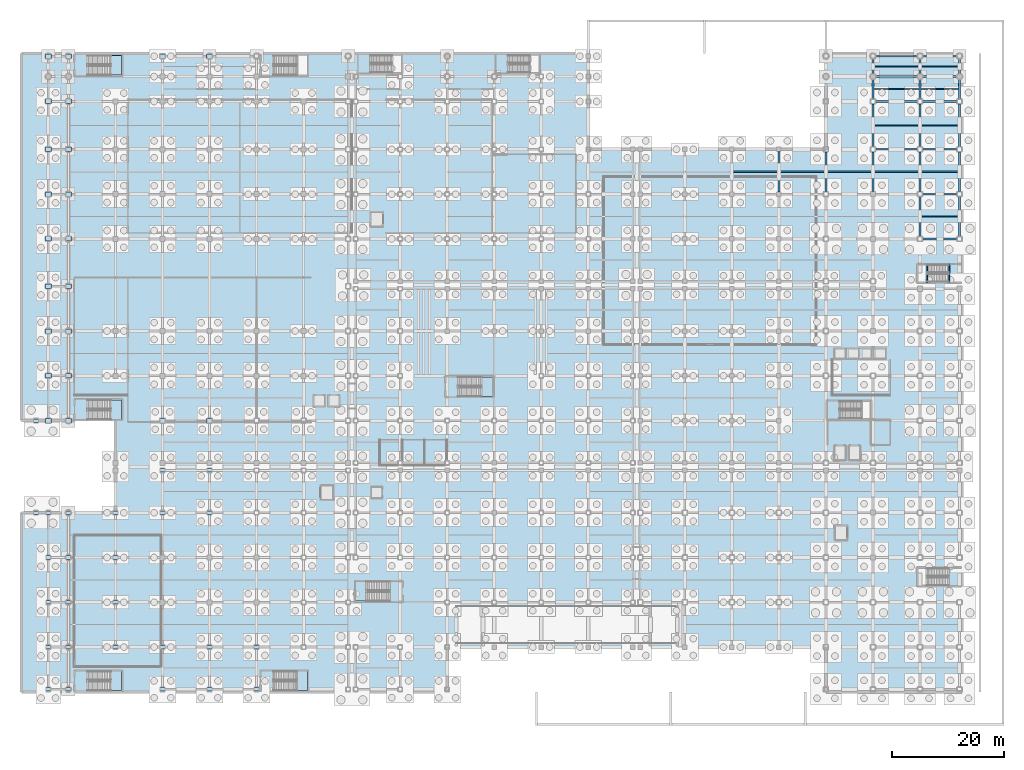
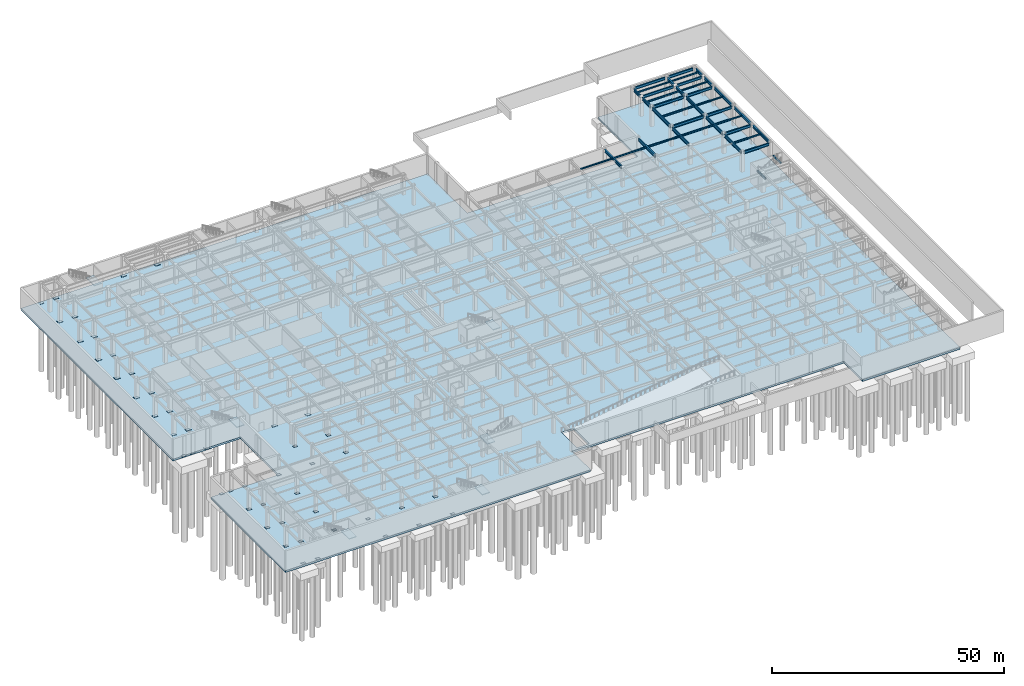
# One storey, part 30 of 55: 48 plates, 40 beams, 7 slabs, 6 elements without a shape of their own.
"""IFC4 building model written with IfcOpenShell, lengths in metres."""

from ifc_helpers import new_model, si_unit, direction, frame, origin, origin_2d, place, context, subcontext, project, spatial, polyline, rectangle, i_section, outline, extrude, material, layer, layer_set, material_profile, profile_set, type_object, element, aggregate, save


model = new_model("IFC4")

# Units and contexts
model_context = context("Model", 3, precision=1e-05, world=origin(), true_north=direction((0.0, 1.0)))
body_context = subcontext(model_context, "Body", "Model", "MODEL_VIEW")
ifc_project = project(units=[si_unit("LENGTHUNIT", "METRE"), si_unit("AREAUNIT", "SQUARE_METRE"), si_unit("VOLUMEUNIT", "CUBIC_METRE"), si_unit("PLANEANGLEUNIT", "RADIAN"), si_unit("MASSUNIT", "GRAM", prefix="KILO")], contexts=[model_context])

# Site, building, storey
site_placement = place(None, origin())
site = spatial("IfcSite", under=ifc_project, at=site_placement, CompositionType="ELEMENT")
building_placement = place(site_placement, origin())
building = spatial("IfcBuilding", under=site, at=building_placement, Name="Kazehara Bluff Congress Hotel", CompositionType="ELEMENT")
storey_placement = place(building_placement, frame((0.0, 0.0, -5.39990234375)))
storey = spatial("IfcBuildingStorey", under=building, at=storey_placement, Name="B1", CompositionType="ELEMENT", Elevation=-5.39990234375)

# Beams
ifc_material_1 = material(Name="Steel SN490B", Category="steel")
ifc_material_profile_1 = material_profile(ifc_material_1, i_section(OverallWidth=0.300048828125, OverallDepth=0.699951171875, WebThickness=0.012939453125, FlangeThickness=0.02392578125, FilletRadius=0.01806640625, at=origin_2d()))
ifc_profile_set_1 = profile_set([ifc_material_profile_1], Name="Steel SN490B")
beam_type_1 = type_object("IfcBeamType", Name="TP-G-04", PredefinedType="BEAM", material=ifc_profile_set_1)
for number, where, z_axis, x_axis, name in (
    (1, (160.949951171875, 80.89990234375, 4.77001953125), (1.0, 0.0, 0.0), (0.0, 1.0, 0.0), "B1 girder G-04 477"),
    (2, (160.949951171875, 88.89990234375, 4.77001953125), (1.0, 0.0, 0.0), (0.0, 1.0, 0.0), "B1 girder G-04 497"),
):
    element("IfcBeam", number, at=place(storey_placement, frame(where, z_axis=z_axis, x_axis=x_axis)), inside=storey, type_object=beam_type_1, Name=name, PredefinedType="BEAM", context=body_context, shape_type="SweptSolid", body=[
        extrude(i_section(OverallWidth=0.300048828125, OverallDepth=0.699951171875, WebThickness=0.012939453125, FlangeThickness=0.02392578125, FilletRadius=0.01806640625, at=origin_2d()), origin(), (0.0, 0.0, 1.0), 6.150146484375),
    ])
beam_1_placement = place(storey_placement, frame((152.550048828125, 96.89990234375, 4.77001953125), z_axis=(1.0, 0.0, 0.0), x_axis=(0.0, 1.0, 0.0)))
element("IfcBeam", 3, at=beam_1_placement, inside=storey, type_object=beam_type_1, Name="B1 girder G-04 509", PredefinedType="BEAM", context=body_context, shape_type="SweptSolid", body=[
    extrude(i_section(OverallWidth=0.300048828125, OverallDepth=0.699951171875, WebThickness=0.012939453125, FlangeThickness=0.02392578125, FilletRadius=0.01806640625, at=origin_2d()), origin(), (0.0, 0.0, 1.0), 7.5),
])
beam_2_placement = place(storey_placement, frame((160.949951171875, 96.89990234375, 4.77001953125), z_axis=(1.0, 0.0, 0.0), x_axis=(0.0, 1.0, 0.0)))
element("IfcBeam", 4, at=beam_2_placement, inside=storey, type_object=beam_type_1, Name="B1 girder G-04 510", PredefinedType="BEAM", context=body_context, shape_type="SweptSolid", body=[
    extrude(i_section(OverallWidth=0.300048828125, OverallDepth=0.699951171875, WebThickness=0.012939453125, FlangeThickness=0.02392578125, FilletRadius=0.01806640625, at=origin_2d()), origin(), (0.0, 0.0, 1.0), 6.150146484375),
])
beam_3_placement = place(storey_placement, frame((152.550048828125, 105.449951171875, 4.77001953125), z_axis=(1.0, 0.0, 0.0), x_axis=(0.0, 1.0, 0.0)))
element("IfcBeam", 5, at=beam_3_placement, inside=storey, type_object=beam_type_1, Name="B1 girder G-04 522", PredefinedType="BEAM", context=body_context, shape_type="SweptSolid", body=[
    extrude(i_section(OverallWidth=0.300048828125, OverallDepth=0.699951171875, WebThickness=0.012939453125, FlangeThickness=0.02392578125, FilletRadius=0.01806640625, at=origin_2d()), origin(), (0.0, 0.0, 1.0), 7.5),
])
beam_4_placement = place(storey_placement, frame((160.949951171875, 105.449951171875, 4.77001953125), z_axis=(1.0, 0.0, 0.0), x_axis=(0.0, 1.0, 0.0)))
element("IfcBeam", 6, at=beam_4_placement, inside=storey, type_object=beam_type_1, Name="B1 girder G-04 523", PredefinedType="BEAM", context=body_context, shape_type="SweptSolid", body=[
    extrude(i_section(OverallWidth=0.300048828125, OverallDepth=0.699951171875, WebThickness=0.012939453125, FlangeThickness=0.02392578125, FilletRadius=0.01806640625, at=origin_2d()), origin(), (0.0, 0.0, 1.0), 6.150146484375),
])
beam_5_placement = place(storey_placement, frame((152.550048828125, 109.89990234375, 4.77001953125), z_axis=(1.0, 0.0, 0.0), x_axis=(0.0, 1.0, 0.0)))
element("IfcBeam", 7, at=beam_5_placement, inside=storey, type_object=beam_type_1, Name="B1 girder G-04 533", PredefinedType="BEAM", context=body_context, shape_type="SweptSolid", body=[
    extrude(i_section(OverallWidth=0.300048828125, OverallDepth=0.699951171875, WebThickness=0.012939453125, FlangeThickness=0.02392578125, FilletRadius=0.01806640625, at=origin_2d()), origin(), (0.0, 0.0, 1.0), 7.5),
])
beam_6_placement = place(storey_placement, frame((160.949951171875, 109.89990234375, 4.77001953125), z_axis=(1.0, 0.0, 0.0), x_axis=(0.0, 1.0, 0.0)))
element("IfcBeam", 8, at=beam_6_placement, inside=storey, type_object=beam_type_1, Name="B1 girder G-04 534", PredefinedType="BEAM", context=body_context, shape_type="SweptSolid", body=[
    extrude(i_section(OverallWidth=0.300048828125, OverallDepth=0.699951171875, WebThickness=0.012939453125, FlangeThickness=0.02392578125, FilletRadius=0.01806640625, at=origin_2d()), origin(), (0.0, 0.0, 1.0), 6.150146484375),
])
beam_7_placement = place(storey_placement, frame((152.550048828125, 113.550048828125, 4.77001953125), z_axis=(1.0, 0.0, 0.0), x_axis=(0.0, 1.0, 0.0)))
element("IfcBeam", 9, at=beam_7_placement, inside=storey, type_object=beam_type_1, Name="B1 girder G-04 538", PredefinedType="BEAM", context=body_context, shape_type="SweptSolid", body=[
    extrude(i_section(OverallWidth=0.300048828125, OverallDepth=0.699951171875, WebThickness=0.012939453125, FlangeThickness=0.02392578125, FilletRadius=0.01806640625, at=origin_2d()), origin(), (0.0, 0.0, 1.0), 7.5),
])
beam_8_placement = place(storey_placement, frame((160.949951171875, 113.550048828125, 4.77001953125), z_axis=(1.0, 0.0, 0.0), x_axis=(0.0, 1.0, 0.0)))
element("IfcBeam", 10, at=beam_8_placement, inside=storey, type_object=beam_type_1, Name="B1 girder G-04 539", PredefinedType="BEAM", context=body_context, shape_type="SweptSolid", body=[
    extrude(i_section(OverallWidth=0.300048828125, OverallDepth=0.699951171875, WebThickness=0.012939453125, FlangeThickness=0.02392578125, FilletRadius=0.01806640625, at=origin_2d()), origin(), (0.0, 0.0, 1.0), 6.150146484375),
])
ifc_material_2 = material(Name="Steel SN490B", Category="steel")
ifc_material_profile_2 = material_profile(ifc_material_2, i_section(OverallWidth=0.300048828125, OverallDepth=0.75, WebThickness=0.012939453125, FlangeThickness=0.02392578125, FilletRadius=0.01806640625, at=origin_2d()))
ifc_profile_set_2 = profile_set([ifc_material_profile_2], Name="Steel SN490B")
beam_type_2 = type_object("IfcBeamType", Name="TP-G-05", PredefinedType="BEAM", material=ifc_profile_set_2)
beam_9_placement = place(storey_placement, frame((135.300048828125, 89.300048828125, 4.744873046875), z_axis=(0.0, 1.0, 0.0), x_axis=(-1.0, 0.0, 0.0)))
element("IfcBeam", 11, at=beam_9_placement, inside=storey, type_object=beam_type_2, Name="B1 girder G-05 224", PredefinedType="BEAM", context=body_context, shape_type="SweptSolid", body=[
    extrude(i_section(OverallWidth=0.300048828125, OverallDepth=0.75, WebThickness=0.012939453125, FlangeThickness=0.02392578125, FilletRadius=0.01806640625, at=origin_2d()), origin(), (0.0, 0.0, 1.0), 7.199951171875),
])
for number, where, z_axis, x_axis, name in (
    (12, (143.699951171875, 89.35009765625, 4.744873046875), (0.0, 1.0, 0.0), (-1.0, 0.0, 0.0), "B1 girder G-05 234"),
    (13, (152.10009765625, 89.35009765625, 4.744873046875), (0.0, 1.0, 0.0), (-1.0, 0.0, 0.0), "B1 girder G-05 244"),
):
    element("IfcBeam", number, at=place(storey_placement, frame(where, z_axis=z_axis, x_axis=x_axis)), inside=storey, type_object=beam_type_2, Name=name, PredefinedType="BEAM", context=body_context, shape_type="SweptSolid", body=[
        extrude(i_section(OverallWidth=0.300048828125, OverallDepth=0.75, WebThickness=0.012939453125, FlangeThickness=0.02392578125, FilletRadius=0.01806640625, at=origin_2d()), origin(), (0.0, 0.0, 1.0), 7.099853515625),
    ])
beam_10_placement = place(storey_placement, frame((152.10009765625, 97.35009765625, 4.744873046875), z_axis=(0.0, 1.0, 0.0), x_axis=(-1.0, 0.0, 0.0)))
element("IfcBeam", 14, at=beam_10_placement, inside=storey, type_object=beam_type_2, Name="B1 girder G-05 245", PredefinedType="BEAM", context=body_context, shape_type="SweptSolid", body=[
    extrude(i_section(OverallWidth=0.300048828125, OverallDepth=0.75, WebThickness=0.012939453125, FlangeThickness=0.02392578125, FilletRadius=0.01806640625, at=origin_2d()), origin(), (0.0, 0.0, 1.0), 7.64990234375),
])
beam_11_placement = place(storey_placement, frame((152.10009765625, 105.89990234375, 4.744873046875), z_axis=(0.0, 1.0, 0.0), x_axis=(-1.0, 0.0, 0.0)))
element("IfcBeam", 15, at=beam_11_placement, inside=storey, type_object=beam_type_2, Name="B1 girder G-05 246", PredefinedType="BEAM", context=body_context, shape_type="SweptSolid", body=[
    extrude(i_section(OverallWidth=0.300048828125, OverallDepth=0.75, WebThickness=0.012939453125, FlangeThickness=0.02392578125, FilletRadius=0.01806640625, at=origin_2d()), origin(), (0.0, 0.0, 1.0), 3.550048828125),
])
beam_12_placement = place(storey_placement, frame((152.10009765625, 110.35009765625, 4.744873046875), z_axis=(0.0, 1.0, 0.0), x_axis=(-1.0, 0.0, 0.0)))
element("IfcBeam", 16, at=beam_12_placement, inside=storey, type_object=beam_type_2, Name="B1 girder G-05 247", PredefinedType="BEAM", context=body_context, shape_type="SweptSolid", body=[
    extrude(i_section(OverallWidth=0.300048828125, OverallDepth=0.75, WebThickness=0.012939453125, FlangeThickness=0.02392578125, FilletRadius=0.01806640625, at=origin_2d()), origin(), (0.0, 0.0, 1.0), 2.75),
])
for number, where, z_axis, x_axis, name in (
    (17, (160.5, 81.35009765625, 4.744873046875), (0.0, 1.0, 0.0), (-1.0, 0.0, 0.0), "B1 girder G-05 256"),
    (18, (160.5, 89.35009765625, 4.744873046875), (0.0, 1.0, 0.0), (-1.0, 0.0, 0.0), "B1 girder G-05 257"),
):
    element("IfcBeam", number, at=place(storey_placement, frame(where, z_axis=z_axis, x_axis=x_axis)), inside=storey, type_object=beam_type_2, Name=name, PredefinedType="BEAM", context=body_context, shape_type="SweptSolid", body=[
        extrude(i_section(OverallWidth=0.300048828125, OverallDepth=0.75, WebThickness=0.012939453125, FlangeThickness=0.02392578125, FilletRadius=0.01806640625, at=origin_2d()), origin(), (0.0, 0.0, 1.0), 7.099853515625),
    ])
beam_13_placement = place(storey_placement, frame((160.5, 97.35009765625, 4.744873046875), z_axis=(0.0, 1.0, 0.0), x_axis=(-1.0, 0.0, 0.0)))
element("IfcBeam", 19, at=beam_13_placement, inside=storey, type_object=beam_type_2, Name="B1 girder G-05 258", PredefinedType="BEAM", context=body_context, shape_type="SweptSolid", body=[
    extrude(i_section(OverallWidth=0.300048828125, OverallDepth=0.75, WebThickness=0.012939453125, FlangeThickness=0.02392578125, FilletRadius=0.01806640625, at=origin_2d()), origin(), (0.0, 0.0, 1.0), 7.64990234375),
])
beam_14_placement = place(storey_placement, frame((160.5, 105.89990234375, 4.744873046875), z_axis=(0.0, 1.0, 0.0), x_axis=(-1.0, 0.0, 0.0)))
element("IfcBeam", 20, at=beam_14_placement, inside=storey, type_object=beam_type_2, Name="B1 girder G-05 259", PredefinedType="BEAM", context=body_context, shape_type="SweptSolid", body=[
    extrude(i_section(OverallWidth=0.300048828125, OverallDepth=0.75, WebThickness=0.012939453125, FlangeThickness=0.02392578125, FilletRadius=0.01806640625, at=origin_2d()), origin(), (0.0, 0.0, 1.0), 3.550048828125),
])
beam_15_placement = place(storey_placement, frame((160.5, 110.35009765625, 4.744873046875), z_axis=(0.0, 1.0, 0.0), x_axis=(-1.0, 0.0, 0.0)))
element("IfcBeam", 21, at=beam_15_placement, inside=storey, type_object=beam_type_2, Name="B1 girder G-05 260", PredefinedType="BEAM", context=body_context, shape_type="SweptSolid", body=[
    extrude(i_section(OverallWidth=0.300048828125, OverallDepth=0.75, WebThickness=0.012939453125, FlangeThickness=0.02392578125, FilletRadius=0.01806640625, at=origin_2d()), origin(), (0.0, 0.0, 1.0), 2.75),
])
for number, where, z_axis, x_axis, name in (
    (22, (167.550048828125, 81.35009765625, 4.744873046875), (0.0, 1.0, 0.0), (-1.0, 0.0, 0.0), "B1 girder G-05 269"),
    (23, (167.550048828125, 89.35009765625, 4.744873046875), (0.0, 1.0, 0.0), (-1.0, 0.0, 0.0), "B1 girder G-05 270"),
):
    element("IfcBeam", number, at=place(storey_placement, frame(where, z_axis=z_axis, x_axis=x_axis)), inside=storey, type_object=beam_type_2, Name=name, PredefinedType="BEAM", context=body_context, shape_type="SweptSolid", body=[
        extrude(i_section(OverallWidth=0.300048828125, OverallDepth=0.75, WebThickness=0.012939453125, FlangeThickness=0.02392578125, FilletRadius=0.01806640625, at=origin_2d()), origin(), (0.0, 0.0, 1.0), 7.099853515625),
    ])
beam_16_placement = place(storey_placement, frame((167.550048828125, 97.35009765625, 4.744873046875), z_axis=(0.0, 1.0, 0.0), x_axis=(-1.0, 0.0, 0.0)))
element("IfcBeam", 24, at=beam_16_placement, inside=storey, type_object=beam_type_2, Name="B1 girder G-05 271", PredefinedType="BEAM", context=body_context, shape_type="SweptSolid", body=[
    extrude(i_section(OverallWidth=0.300048828125, OverallDepth=0.75, WebThickness=0.012939453125, FlangeThickness=0.02392578125, FilletRadius=0.01806640625, at=origin_2d()), origin(), (0.0, 0.0, 1.0), 7.64990234375),
])
beam_17_placement = place(storey_placement, frame((167.550048828125, 105.89990234375, 4.744873046875), z_axis=(0.0, 1.0, 0.0), x_axis=(-1.0, 0.0, 0.0)))
element("IfcBeam", 25, at=beam_17_placement, inside=storey, type_object=beam_type_2, Name="B1 girder G-05 272", PredefinedType="BEAM", context=body_context, shape_type="SweptSolid", body=[
    extrude(i_section(OverallWidth=0.300048828125, OverallDepth=0.75, WebThickness=0.012939453125, FlangeThickness=0.02392578125, FilletRadius=0.01806640625, at=origin_2d()), origin(), (0.0, 0.0, 1.0), 3.550048828125),
])
beam_18_placement = place(storey_placement, frame((167.550048828125, 110.35009765625, 4.744873046875), z_axis=(0.0, 1.0, 0.0), x_axis=(-1.0, 0.0, 0.0)))
element("IfcBeam", 26, at=beam_18_placement, inside=storey, type_object=beam_type_2, Name="B1 girder G-05 273", PredefinedType="BEAM", context=body_context, shape_type="SweptSolid", body=[
    extrude(i_section(OverallWidth=0.300048828125, OverallDepth=0.75, WebThickness=0.012939453125, FlangeThickness=0.02392578125, FilletRadius=0.01806640625, at=origin_2d()), origin(), (0.0, 0.0, 1.0), 2.75),
])
ifc_material_3 = material(Name="Steel SN400B", Category="steel")
ifc_material_profile_3 = material_profile(ifc_material_3, i_section(OverallWidth=0.199951171875, OverallDepth=0.39990234375, WebThickness=0.008056640625, FlangeThickness=0.012939453125, FilletRadius=0.012939453125, at=origin_2d()))
ifc_profile_set_3 = profile_set([ifc_material_profile_3], Name="Steel SN400B")
beam_type_3 = type_object("IfcBeamType", Name="TP-J-03", PredefinedType="JOIST", material=ifc_profile_set_3)
beam_19_placement = place(storey_placement, frame((127.050048828125, 92.89990234375, 4.919921875), z_axis=(1.0, 0.0, 0.0), x_axis=(0.0, 1.0, 0.0)))
element("IfcBeam", 27, at=beam_19_placement, inside=storey, type_object=beam_type_3, Name="B1 secondary joist J-03 123", PredefinedType="JOIST", context=body_context, shape_type="SweptSolid", body=[
    extrude(i_section(OverallWidth=0.199951171875, OverallDepth=0.39990234375, WebThickness=0.008056640625, FlangeThickness=0.012939453125, FilletRadius=0.012939453125, at=origin_2d()), origin(), (0.0, 0.0, 1.0), 8.099853515625),
])
beam_20_placement = place(storey_placement, frame((135.449951171875, 92.89990234375, 4.919921875), z_axis=(1.0, 0.0, 0.0), x_axis=(0.0, 1.0, 0.0)))
element("IfcBeam", 28, at=beam_20_placement, inside=storey, type_object=beam_type_3, Name="B1 secondary joist J-03 132", PredefinedType="JOIST", context=body_context, shape_type="SweptSolid", body=[
    extrude(i_section(OverallWidth=0.199951171875, OverallDepth=0.39990234375, WebThickness=0.008056640625, FlangeThickness=0.012939453125, FilletRadius=0.012939453125, at=origin_2d()), origin(), (0.0, 0.0, 1.0), 8.10009765625),
])
beam_21_placement = place(storey_placement, frame((143.85009765625, 92.89990234375, 4.919921875), z_axis=(1.0, 0.0, 0.0), x_axis=(0.0, 1.0, 0.0)))
element("IfcBeam", 29, at=beam_21_placement, inside=storey, type_object=beam_type_3, Name="B1 secondary joist J-03 139", PredefinedType="JOIST", context=body_context, shape_type="SweptSolid", body=[
    extrude(i_section(OverallWidth=0.199951171875, OverallDepth=0.39990234375, WebThickness=0.008056640625, FlangeThickness=0.012939453125, FilletRadius=0.012939453125, at=origin_2d()), origin(), (0.0, 0.0, 1.0), 8.099853515625),
])
for number, where, z_axis, x_axis, name in (
    (30, (152.25, 92.89990234375, 4.919921875), (1.0, 0.0, 0.0), (0.0, 1.0, 0.0), "B1 secondary joist J-03 146"),
    (31, (152.25, 101.175048828125, 4.919921875), (1.0, 0.0, 0.0), (0.0, 1.0, 0.0), "B1 secondary joist J-03 147"),
    (32, (152.25, 107.675048828125, 4.919921875), (1.0, 0.0, 0.0), (0.0, 1.0, 0.0), "B1 secondary joist J-03 148"),
    (33, (152.25, 111.72509765625, 4.919921875), (1.0, 0.0, 0.0), (0.0, 1.0, 0.0), "B1 secondary joist J-03 149"),
):
    element("IfcBeam", number, at=place(storey_placement, frame(where, z_axis=z_axis, x_axis=x_axis)), inside=storey, type_object=beam_type_3, Name=name, PredefinedType="JOIST", context=body_context, shape_type="SweptSolid", body=[
        extrude(i_section(OverallWidth=0.199951171875, OverallDepth=0.39990234375, WebThickness=0.008056640625, FlangeThickness=0.012939453125, FilletRadius=0.012939453125, at=origin_2d()), origin(), (0.0, 0.0, 1.0), 8.10009765625),
    ])
for number, where, z_axis, x_axis, name in (
    (34, (160.64990234375, 84.89990234375, 4.919921875), (1.0, 0.0, 0.0), (0.0, 1.0, 0.0), "B1 secondary joist J-03 158"),
    (35, (160.64990234375, 92.89990234375, 4.919921875), (1.0, 0.0, 0.0), (0.0, 1.0, 0.0), "B1 secondary joist J-03 159"),
    (36, (160.64990234375, 101.175048828125, 4.919921875), (1.0, 0.0, 0.0), (0.0, 1.0, 0.0), "B1 secondary joist J-03 160"),
    (37, (160.64990234375, 107.675048828125, 4.919921875), (1.0, 0.0, 0.0), (0.0, 1.0, 0.0), "B1 secondary joist J-03 161"),
    (38, (160.64990234375, 111.72509765625, 4.919921875), (1.0, 0.0, 0.0), (0.0, 1.0, 0.0), "B1 secondary joist J-03 162"),
):
    element("IfcBeam", number, at=place(storey_placement, frame(where, z_axis=z_axis, x_axis=x_axis)), inside=storey, type_object=beam_type_3, Name=name, PredefinedType="JOIST", context=body_context, shape_type="SweptSolid", body=[
        extrude(i_section(OverallWidth=0.199951171875, OverallDepth=0.39990234375, WebThickness=0.008056640625, FlangeThickness=0.012939453125, FilletRadius=0.012939453125, at=origin_2d()), origin(), (0.0, 0.0, 1.0), 6.75),
    ])
ifc_material_4 = material(Name="Concrete C40/50", Category="concrete")
ifc_material_profile_4 = material_profile(ifc_material_4, rectangle(XDim=0.300048828125, YDim=0.39990234375, at=origin_2d()))
ifc_profile_set_4 = profile_set([ifc_material_profile_4], Name="Concrete C40/50")
beam_type_4 = type_object("IfcBeamType", Name="TP-LN-02", PredefinedType="LINTEL", material=ifc_profile_set_4)
for number, where, z_axis, x_axis, name in (
    (39, (161.72998046875, 76.425048828125, 2.31982421875), (0.0, -1.0, 0.0), (1.0, 0.0, 0.0), "B1 ST-12 half-landing support beam 1"),
    (40, (165.64990234375, 76.425048828125, 4.93994140625), (0.0, -1.0, 0.0), (1.0, 0.0, 0.0), "L00 ST-12 stairwell trimmer beam"),
):
    element("IfcBeam", number, at=place(storey_placement, frame(where, z_axis=z_axis, x_axis=x_axis)), inside=storey, type_object=beam_type_4, Name=name, PredefinedType="LINTEL", context=body_context, shape_type="SweptSolid", body=[
        extrude(rectangle(XDim=0.300048828125, YDim=0.39990234375, at=origin_2d()), origin(), (0.0, 0.0, 1.0), 3.35009765625),
    ])

# Plates
ifc_material_5 = material(Name="Steel SN490B", Category="steel")
ifc_layer_1 = layer(ifc_material_5, 0.033935546875)
ifc_layer_set_1 = layer_set([ifc_layer_1], Name="Steel SN490B")
plate_type_1 = type_object("IfcPlateType", Name="TP-BP-PL2", PredefinedType="USERDEFINED", material=ifc_layer_set_1)
for number, where, z_axis, x_axis, name in (
    (41, (2.60009765625, 32.0, -0.0322265625), (0.0, 0.0, 1.0), (1.0, 0.0, 0.0), "Column base plate BP-PL2 1"),
    (42, (2.60009765625, 48.449951171875, -0.0322265625), (0.0, 0.0, 1.0), (1.0, 0.0, 0.0), "Column base plate BP-PL2 2"),
    (43, (4.800048828125, 0.449951171875, -0.0322265625), (0.0, 0.0, 1.0), (1.0, 0.0, 0.0), "Column base plate BP-PL2 3"),
    (44, (4.800048828125, 8.0, -0.0322265625), (0.0, 0.0, 1.0), (1.0, 0.0, 0.0), "Column base plate BP-PL2 4"),
    (45, (4.800048828125, 16.0, -0.0322265625), (0.0, 0.0, 1.0), (1.0, 0.0, 0.0), "Column base plate BP-PL2 5"),
    (46, (4.800048828125, 24.0, -0.0322265625), (0.0, 0.0, 1.0), (1.0, 0.0, 0.0), "Column base plate BP-PL2 6"),
    (47, (4.800048828125, 32.0, -0.0322265625), (0.0, 0.0, 1.0), (1.0, 0.0, 0.0), "Column base plate BP-PL2 7"),
    (48, (8.39990234375, 0.449951171875, -0.0322265625), (0.0, 0.0, 1.0), (1.0, 0.0, 0.0), "Column base plate BP-PL2 17"),
    (49, (8.39990234375, 8.0, -0.0322265625), (0.0, 0.0, 1.0), (1.0, 0.0, 0.0), "Column base plate BP-PL2 18"),
    (50, (8.39990234375, 16.0, -0.0322265625), (0.0, 0.0, 1.0), (1.0, 0.0, 0.0), "Column base plate BP-PL2 19"),
    (51, (8.39990234375, 24.0, -0.0322265625), (0.0, 0.0, 1.0), (1.0, 0.0, 0.0), "Column base plate BP-PL2 20"),
    (52, (8.39990234375, 32.0, -0.0322265625), (0.0, 0.0, 1.0), (1.0, 0.0, 0.0), "Column base plate BP-PL2 21"),
    (53, (16.800048828125, 8.0, -0.0322265625), (0.0, 0.0, 1.0), (1.0, 0.0, 0.0), "Column base plate BP-PL2 31"),
    (54, (16.800048828125, 16.0, -0.0322265625), (0.0, 0.0, 1.0), (1.0, 0.0, 0.0), "Column base plate BP-PL2 32"),
    (55, (16.800048828125, 24.0, -0.0322265625), (0.0, 0.0, 1.0), (1.0, 0.0, 0.0), "Column base plate BP-PL2 33"),
    (56, (16.800048828125, 32.0, -0.0322265625), (0.0, 0.0, 1.0), (1.0, 0.0, 0.0), "Column base plate BP-PL2 34"),
    (57, (25.199951171875, 0.449951171875, -0.0322265625), (0.0, 0.0, 1.0), (1.0, 0.0, 0.0), "Column base plate BP-PL2 35"),
    (58, (25.199951171875, 8.0, -0.0322265625), (0.0, 0.0, 1.0), (1.0, 0.0, 0.0), "Column base plate BP-PL2 36"),
    (59, (25.199951171875, 32.0, -0.0322265625), (0.0, 0.0, 1.0), (1.0, 0.0, 0.0), "Column base plate BP-PL2 37"),
    (60, (25.199951171875, 39.550048828125, -0.0322265625), (0.0, 0.0, 1.0), (1.0, 0.0, 0.0), "Column base plate BP-PL2 38"),
    (61, (33.60009765625, 0.449951171875, -0.0322265625), (0.0, 0.0, 1.0), (1.0, 0.0, 0.0), "Column base plate BP-PL2 41"),
    (62, (33.60009765625, 8.0, -0.0322265625), (0.0, 0.0, 1.0), (1.0, 0.0, 0.0), "Column base plate BP-PL2 42"),
    (63, (33.60009765625, 32.0, -0.0322265625), (0.0, 0.0, 1.0), (1.0, 0.0, 0.0), "Column base plate BP-PL2 43"),
    (64, (33.60009765625, 39.550048828125, -0.0322265625), (0.0, 0.0, 1.0), (1.0, 0.0, 0.0), "Column base plate BP-PL2 44"),
    (65, (42.0, 0.449951171875, -0.0322265625), (0.0, 0.0, 1.0), (1.0, 0.0, 0.0), "Column base plate BP-PL2 47"),
    (66, (42.0, 8.0, -0.0322265625), (0.0, 0.0, 1.0), (1.0, 0.0, 0.0), "Column base plate BP-PL2 48"),
):
    element("IfcPlate", number, at=place(storey_placement, frame(where, z_axis=z_axis, x_axis=x_axis)), inside=storey, type_object=plate_type_1, Name=name, ObjectType="BASE_PLATE", PredefinedType="USERDEFINED", context=body_context, shape_type="SweptSolid", body=[
        extrude(rectangle(XDim=0.89990234375, YDim=0.64990234375, at=origin_2d()), origin(), (0.0, 0.0, 1.0), 0.033935546875),
    ])
ifc_material_6 = material(Name="Steel SN490B", Category="steel")
ifc_layer_2 = layer(ifc_material_6, 0.0380859375)
ifc_layer_set_2 = layer_set([ifc_layer_2], Name="Steel SN490B")
plate_type_2 = type_object("IfcPlateType", Name="TP-BP-PL3", PredefinedType="USERDEFINED", material=ifc_layer_set_2)
for number, where, z_axis, x_axis, name in (
    (67, (4.800048828125, 48.449951171875, -0.0390625), (0.0, 0.0, 1.0), (1.0, 0.0, 0.0), "Column base plate BP-PL3 8"),
    (68, (4.800048828125, 56.449951171875, -0.0390625), (0.0, 0.0, 1.0), (1.0, 0.0, 0.0), "Column base plate BP-PL3 9"),
    (69, (4.800048828125, 64.449951171875, -0.0390625), (0.0, 0.0, 1.0), (1.0, 0.0, 0.0), "Column base plate BP-PL3 10"),
    (70, (4.800048828125, 72.449951171875, -0.0390625), (0.0, 0.0, 1.0), (1.0, 0.0, 0.0), "Column base plate BP-PL3 11"),
    (71, (4.800048828125, 80.89990234375, -0.0390625), (0.0, 0.0, 1.0), (1.0, 0.0, 0.0), "Column base plate BP-PL3 12"),
    (72, (4.800048828125, 88.89990234375, -0.0390625), (0.0, 0.0, 1.0), (1.0, 0.0, 0.0), "Column base plate BP-PL3 13"),
    (73, (4.800048828125, 96.89990234375, -0.0390625), (0.0, 0.0, 1.0), (1.0, 0.0, 0.0), "Column base plate BP-PL3 14"),
    (74, (4.800048828125, 105.449951171875, -0.0390625), (0.0, 0.0, 1.0), (1.0, 0.0, 0.0), "Column base plate BP-PL3 15"),
    (75, (4.800048828125, 113.550048828125, -0.0390625), (0.0, 0.0, 1.0), (1.0, 0.0, 0.0), "Column base plate BP-PL3 16"),
    (76, (8.39990234375, 48.449951171875, -0.0390625), (0.0, 0.0, 1.0), (1.0, 0.0, 0.0), "Column base plate BP-PL3 22"),
    (77, (8.39990234375, 56.449951171875, -0.0390625), (0.0, 0.0, 1.0), (1.0, 0.0, 0.0), "Column base plate BP-PL3 23"),
    (78, (8.39990234375, 64.449951171875, -0.0390625), (0.0, 0.0, 1.0), (1.0, 0.0, 0.0), "Column base plate BP-PL3 24"),
    (79, (8.39990234375, 72.449951171875, -0.0390625), (0.0, 0.0, 1.0), (1.0, 0.0, 0.0), "Column base plate BP-PL3 25"),
    (80, (8.39990234375, 80.89990234375, -0.0390625), (0.0, 0.0, 1.0), (1.0, 0.0, 0.0), "Column base plate BP-PL3 26"),
    (81, (8.39990234375, 88.89990234375, -0.0390625), (0.0, 0.0, 1.0), (1.0, 0.0, 0.0), "Column base plate BP-PL3 27"),
    (82, (8.39990234375, 96.89990234375, -0.0390625), (0.0, 0.0, 1.0), (1.0, 0.0, 0.0), "Column base plate BP-PL3 28"),
    (83, (8.39990234375, 105.449951171875, -0.0390625), (0.0, 0.0, 1.0), (1.0, 0.0, 0.0), "Column base plate BP-PL3 29"),
    (84, (8.39990234375, 113.550048828125, -0.0390625), (0.0, 0.0, 1.0), (1.0, 0.0, 0.0), "Column base plate BP-PL3 30"),
    (85, (25.199951171875, 48.449951171875, -0.0390625), (0.0, 0.0, 1.0), (1.0, 0.0, 0.0), "Column base plate BP-PL3 39"),
    (86, (25.199951171875, 113.550048828125, -0.0390625), (0.0, 0.0, 1.0), (1.0, 0.0, 0.0), "Column base plate BP-PL3 40"),
    (87, (33.60009765625, 48.449951171875, -0.0390625), (0.0, 0.0, 1.0), (1.0, 0.0, 0.0), "Column base plate BP-PL3 45"),
    (88, (33.60009765625, 113.550048828125, -0.0390625), (0.0, 0.0, 1.0), (1.0, 0.0, 0.0), "Column base plate BP-PL3 46"),
):
    element("IfcPlate", number, at=place(storey_placement, frame(where, z_axis=z_axis, x_axis=x_axis)), inside=storey, type_object=plate_type_2, Name=name, ObjectType="BASE_PLATE", PredefinedType="USERDEFINED", context=body_context, shape_type="SweptSolid", body=[
        extrude(rectangle(XDim=1.10009765625, YDim=0.800048828125, at=origin_2d()), origin(), (0.0, 0.0, 1.0), 0.0380859375),
    ])

# Slab
ifc_material_7 = material(Name="Concrete C36/45", Category="concrete")
ifc_layer_3 = layer(ifc_material_7, 0.5)
ifc_layer_set_3 = layer_set([ifc_layer_3], Name="Concrete C36/45")
slab_type_1 = type_object("IfcSlabType", Name="TP-SL-B1", PredefinedType="BASESLAB", material=ifc_layer_set_3)
slab_1_placement = place(storey_placement, frame((0.0, 0.0, -0.5)))
element("IfcSlab", 89, at=slab_1_placement, inside=storey, type_object=slab_type_1, Name="B1 tanked foundation base slab", PredefinedType="BASESLAB", context=body_context, shape_type="SweptSolid", body=[
    extrude(outline(polyline([(0.0, 0.0), (76.050048828125, 0.0), (76.050048828125, 8.0), (143.699951171875, 8.0), (143.699951171875, 0.0), (168.0, 0.0), (168.0, 114.0), (143.699951171875, 114.0), (143.699951171875, 96.89990234375), (101.25, 96.89990234375), (101.25, 114.0), (0.0, 114.0), (0.0, 48.449951171875), (16.800048828125, 48.449951171875), (16.800048828125, 32.0), (0.0, 32.0), (0.0, 0.0)]), holes=[polyline([(77.64990234375, 8.64990234375), (80.699951171875, 8.64990234375), (80.699951171875, 15.35009765625), (77.64990234375, 15.35009765625), (77.64990234375, 8.64990234375)])]), origin(), (0.0, 0.0, 1.0), 0.5),
])

# Stair, slab
ifc_material_8 = material(Name="Concrete C36/45", Category="concrete")
stair_type = type_object("IfcStairType", Name="TP-ST-T01", PredefinedType="HALF_TURN_STAIR", material=ifc_material_8)
stair_1_placement = place(storey_placement, origin())
stair_1 = element("IfcStair", 90, at=stair_1_placement, inside=storey, type_object=stair_type, Name="B1 Escape stair ST-01", PredefinedType="HALF_TURN_STAIR")
ifc_material_9 = material(Name="Concrete C36/45", Category="concrete")
ifc_layer_4 = layer(ifc_material_9, 0.199951171875)
ifc_layer_set_4 = layer_set([ifc_layer_4], Name="Concrete C36/45")
slab_type_2 = type_object("IfcSlabType", Name="TP-SLD-200", PredefinedType="LANDING", material=ifc_layer_set_4)
slab_2_placement = place(storey_placement, frame((0.0, 0.0, 2.5)))
slab_2 = element("IfcSlab", 91, at=slab_2_placement, type_object=slab_type_2, Name="ST-01 landing 1", PredefinedType="LANDING", context=body_context, shape_type="SweptSolid", body=[
    extrude(outline(polyline([(16.0, 110.14990234375), (17.89990234375, 110.14990234375), (17.89990234375, 113.64990234375), (16.0, 113.64990234375), (16.0, 110.14990234375)])), origin(), (0.0, 0.0, 1.0), 0.199951171875),
])
aggregate(stair_1, [slab_2])

stair_2_placement = place(storey_placement, origin())
stair_2 = element("IfcStair", 92, at=stair_2_placement, inside=storey, type_object=stair_type, Name="B1 Escape stair ST-03", PredefinedType="HALF_TURN_STAIR")
slab_3_placement = place(storey_placement, frame((0.0, 0.0, 2.5)))
slab_3 = element("IfcSlab", 93, at=slab_3_placement, type_object=slab_type_2, Name="ST-03 landing 1", PredefinedType="LANDING", context=body_context, shape_type="SweptSolid", body=[
    extrude(outline(polyline([(16.0, 48.64990234375), (17.89990234375, 48.64990234375), (17.89990234375, 52.14990234375), (16.0, 52.14990234375), (16.0, 48.64990234375)])), origin(), (0.0, 0.0, 1.0), 0.199951171875),
])
aggregate(stair_2, [slab_3])

stair_3_placement = place(storey_placement, origin())
stair_3 = element("IfcStair", 94, at=stair_3_placement, inside=storey, type_object=stair_type, Name="B1 Escape stair ST-04", PredefinedType="HALF_TURN_STAIR")
slab_4_placement = place(storey_placement, frame((0.0, 0.0, 2.5)))
slab_4 = element("IfcSlab", 95, at=slab_4_placement, type_object=slab_type_2, Name="ST-04 landing 1", PredefinedType="LANDING", context=body_context, shape_type="SweptSolid", body=[
    extrude(outline(polyline([(16.0, 0.199951171875), (17.89990234375, 0.199951171875), (17.89990234375, 3.699951171875), (16.0, 3.699951171875), (16.0, 0.199951171875)])), origin(), (0.0, 0.0, 1.0), 0.199951171875),
])
aggregate(stair_3, [slab_4])

stair_4_placement = place(storey_placement, origin())
stair_4 = element("IfcStair", 96, at=stair_4_placement, inside=storey, type_object=stair_type, Name="B1 Escape stair ST-05", PredefinedType="HALF_TURN_STAIR")
slab_5_placement = place(storey_placement, frame((0.0, 0.0, 2.5)))
slab_5 = element("IfcSlab", 97, at=slab_5_placement, type_object=slab_type_2, Name="ST-05 landing 1", PredefinedType="LANDING", context=body_context, shape_type="SweptSolid", body=[
    extrude(outline(polyline([(49.199951171875, 0.199951171875), (51.10009765625, 0.199951171875), (51.10009765625, 3.699951171875), (49.199951171875, 3.699951171875), (49.199951171875, 0.199951171875)])), origin(), (0.0, 0.0, 1.0), 0.199951171875),
])
aggregate(stair_4, [slab_5])

stair_5_placement = place(storey_placement, origin())
stair_5 = element("IfcStair", 98, at=stair_5_placement, inside=storey, type_object=stair_type, Name="B1 Escape stair ST-08", PredefinedType="HALF_TURN_STAIR")
slab_6_placement = place(storey_placement, frame((0.0, 0.0, 2.5)))
slab_6 = element("IfcSlab", 99, at=slab_6_placement, type_object=slab_type_2, Name="ST-08 landing 1", PredefinedType="LANDING", context=body_context, shape_type="SweptSolid", body=[
    extrude(outline(polyline([(61.60009765625, 19.699951171875), (59.699951171875, 19.699951171875), (59.699951171875, 16.199951171875), (61.60009765625, 16.199951171875), (61.60009765625, 19.699951171875)])), origin(), (0.0, 0.0, 1.0), 0.199951171875),
])
aggregate(stair_5, [slab_6])

stair_6_placement = place(storey_placement, origin())
stair_6 = element("IfcStair", 100, at=stair_6_placement, inside=storey, type_object=stair_type, Name="B1 Escape stair ST-09", PredefinedType="HALF_TURN_STAIR")
slab_7_placement = place(storey_placement, frame((0.0, 0.0, 2.5)))
slab_7 = element("IfcSlab", 101, at=slab_7_placement, type_object=slab_type_2, Name="ST-09 landing 1", PredefinedType="LANDING", context=body_context, shape_type="SweptSolid", body=[
    extrude(outline(polyline([(82.199951171875, 52.75), (84.10009765625, 52.75), (84.10009765625, 56.25), (82.199951171875, 56.25), (82.199951171875, 52.75)])), origin(), (0.0, 0.0, 1.0), 0.199951171875),
])
aggregate(stair_6, [slab_7])

save(model, "model.ifc")
